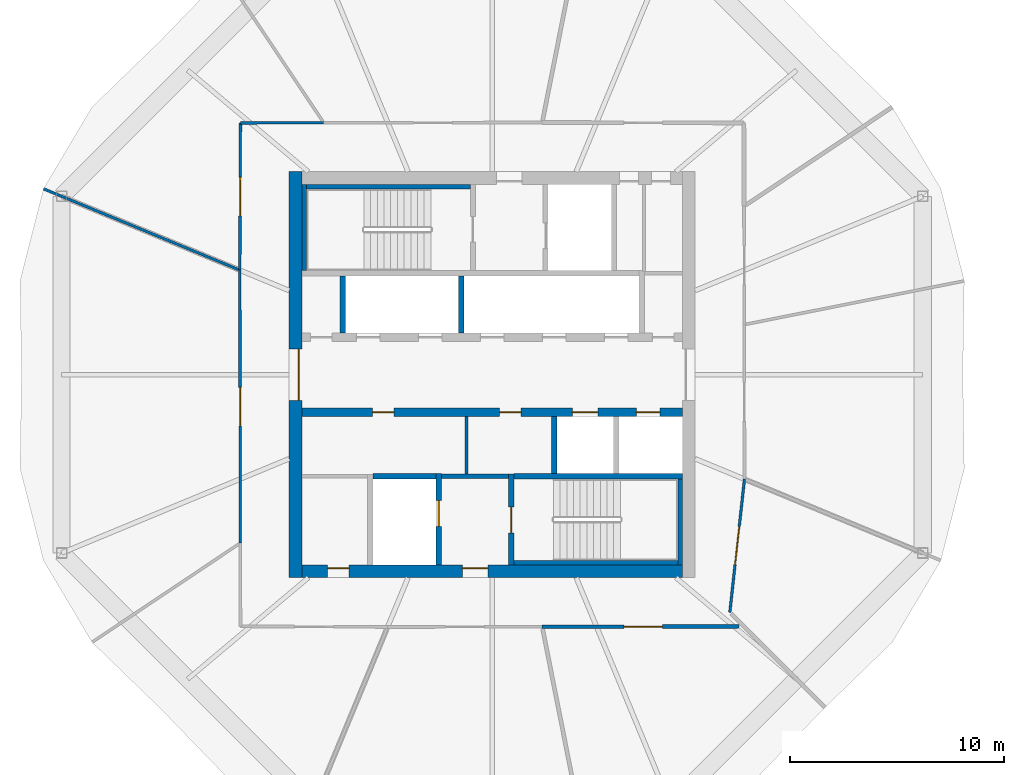
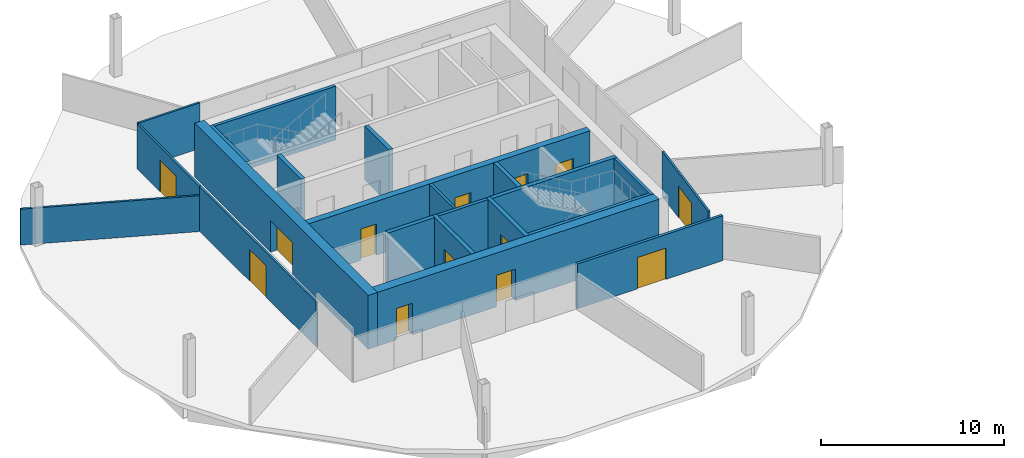
# One storey, part 5 of 10: 22 walls, 13 doors, 13 openings.
"""IFC4 building model written with IfcOpenShell, lengths in metres."""

from ifc_helpers import new_model, si_unit, direction, frame, frame_2d, origin, place, context, subcontext, project, spatial, rectangle, extrude, material, layer, layer_set, type_object, element, fill, save


model = new_model("IFC4")

# Units and contexts
model_context = context("Model", 3, precision=1e-05, world=origin(), true_north=direction((0.0, 1.0)))
body_context = subcontext(model_context, "Body", "Model", "MODEL_VIEW")
ifc_project = project(units=[si_unit("LENGTHUNIT", "METRE"), si_unit("AREAUNIT", "SQUARE_METRE"), si_unit("VOLUMEUNIT", "CUBIC_METRE"), si_unit("PLANEANGLEUNIT", "RADIAN"), si_unit("MASSUNIT", "GRAM", prefix="KILO")], contexts=[model_context])

# Site, building, storey
site_placement = place(None, origin())
site = spatial("IfcSite", under=ifc_project, at=site_placement, CompositionType="ELEMENT")
building_placement = place(site_placement, origin())
building = spatial("IfcBuilding", under=site, at=building_placement, Name="Ogive Gate Towers", CompositionType="ELEMENT")
storey_placement = place(building_placement, frame((0.0, 0.0, 169.5)))
storey = spatial("IfcBuildingStorey", under=building, at=storey_placement, Name="L40", CompositionType="ELEMENT", Elevation=169.5)

# Wall, opening, door
ifc_material_1 = material(Name="Gypsum board acoustic partition")
ifc_layer_1 = layer(ifc_material_1, 0.175048828125)
ifc_layer_set_1 = layer_set([ifc_layer_1], Name="Acoustic partition 175")
wall_type_1 = type_object("IfcWallType", Name="Acoustic partition 175", PredefinedType="PARTITIONING", material=ifc_layer_set_1)
wall_1_placement = place(storey_placement, frame((-33.656982421875, -11.80029296875, 0.0), z_axis=(0.0, 0.0, 1.0), x_axis=(0.999997698004, 0.002145690425, 0.0)))
wall_1 = element("IfcWall", 1, at=wall_1_placement, inside=storey, type_object=wall_type_1, Name="Partition T1-L40-018", PredefinedType="PARTITIONING", context=body_context, shape_type="SweptSolid", body=[
    extrude(rectangle(XDim=9.21630859375, YDim=0.175048828125, at=frame_2d((4.608154296875, 0.0))), origin(), (0.0, 0.0, 1.0), 3.0),
])
opening_1_placement = place(wall_1_placement, frame((3.819091796875, 0.0, 0.0)))
opening_1 = element("IfcOpeningElement", 2, at=opening_1_placement, cuts=wall_1, Name="Opening T1-L40-D06", PredefinedType="OPENING", context=body_context, shape_type="SweptSolid", body=[
    extrude(rectangle(XDim=1.800048828125, YDim=2.10009765625, at=frame_2d((0.89990234375, 1.050048828125))), frame((0.0, 0.09765625, 0.0), z_axis=(0.0, -1.0, 0.0), x_axis=(1.0, 0.0, 0.0)), (0.0, 0.0, 1.0), 0.195068359375),
])
ifc_material_2 = material(Name="Timber door", Category="wood")
door_type_1 = type_object("IfcDoorType", Name="Door pair 1800", OperationType="NOTDEFINED", PredefinedType="DOOR", material=ifc_material_2)
door_1_placement = place(opening_1_placement, origin())
door_1 = element("IfcDoor", 3, at=door_1_placement, inside=storey, type_object=door_type_1, Name="Door T1-L40-D06", OperationType="DOUBLE_DOOR_DOUBLE_SWING", OverallHeight=2.10009765625, OverallWidth=1.800048828125, PredefinedType="DOOR", context=body_context, shape_type="SweptSolid", body=[
    extrude(rectangle(XDim=1.800048828125, YDim=2.10009765625, at=frame_2d((0.89990234375, 1.050048828125))), frame((0.0, 0.02490234375, 0.0), z_axis=(0.0, -1.0, 0.0), x_axis=(1.0, 0.0, 0.0)), (0.0, 0.0, 1.0), 0.050048828125),
])
fill(opening_1, door_1)

# Wall
ifc_material_3 = material(Name="Masonry blockwork", Category="masonry")
ifc_layer_2 = layer(ifc_material_3, 0.199951171875)
ifc_layer_set_2 = layer_set([ifc_layer_2], Name="Blockwork wall 200 mm")
wall_type_2 = type_object("IfcWallType", Name="Blockwork wall 200 mm", PredefinedType="PARTITIONING", material=ifc_layer_set_2)
wall_2_placement = place(storey_placement, frame((-38.375, -4.75, 0.0), z_axis=(0.0, 0.0, 1.0), x_axis=(1.0, 0.0, 0.0)))
element("IfcWall", 4, at=wall_2_placement, inside=storey, type_object=wall_type_2, Name="T1 L40 Blockwork wall 200 mm", PredefinedType="PARTITIONING", context=body_context, shape_type="SweptSolid", body=[
    extrude(rectangle(XDim=3.14990234375, YDim=0.199951171875, at=frame_2d((1.574951171875, 0.0))), origin(), (0.0, 0.0, 1.0), 3.60009765625),
])

# Wall, openings, doors
ifc_material_4 = material(Name="Concrete C60/75", Category="concrete")
ifc_layer_3 = layer(ifc_material_4, 0.60009765625)
ifc_layer_set_3 = layer_set([ifc_layer_3], Name="Core wall 600 mm")
wall_type_3 = type_object("IfcWallType", Name="Core wall 600 mm", PredefinedType="SHEAR", material=ifc_layer_set_3)
wall_3_placement = place(storey_placement, frame((-44.89990234375, -9.199951171875, 0.0), z_axis=(0.0, 0.0, 1.0), x_axis=(1.0, 0.0, 0.0)))
wall_3 = element("IfcWall", 5, at=wall_3_placement, inside=storey, type_object=wall_type_3, Name="T1 L40 Core wall 600 mm", PredefinedType="SHEAR", context=body_context, shape_type="SweptSolid", body=[
    extrude(rectangle(XDim=17.7998046875, YDim=0.60009765625, at=frame_2d((8.89990234375, 0.0))), origin(), (0.0, 0.0, 1.0), 3.60009765625),
])
opening_2_placement = place(wall_3_placement, frame((7.5, 0.0, 0.0)))
opening_2 = element("IfcOpeningElement", 6, at=opening_2_placement, cuts=wall_3, Name="Opening KD-T1-L40-19", PredefinedType="OPENING", context=body_context, shape_type="SweptSolid", body=[
    extrude(rectangle(XDim=1.199951171875, YDim=2.10009765625, at=frame_2d((0.60009765625, 1.050048828125))), frame((0.0, 0.31005859375, 0.0), z_axis=(0.0, -1.0, 0.0), x_axis=(1.0, 0.0, 0.0)), (0.0, 0.0, 1.0), 0.6201171875),
])
opening_3_placement = place(wall_3_placement, frame((1.199951171875, 0.0, 0.0)))
opening_3 = element("IfcOpeningElement", 7, at=opening_3_placement, cuts=wall_3, Name="Opening KD-T1-L40-22", PredefinedType="OPENING", context=body_context, shape_type="SweptSolid", body=[
    extrude(rectangle(XDim=1.0, YDim=2.10009765625, at=frame_2d((0.5, 1.050048828125))), frame((0.0, 0.31005859375, 0.0), z_axis=(0.0, -1.0, 0.0), x_axis=(1.0, 0.0, 0.0)), (0.0, 0.0, 1.0), 0.6201171875),
])
door_type_2 = type_object("IfcDoorType", Name="Accessible WC door 1000 x 2100", OperationType="NOTDEFINED", PredefinedType="DOOR", material=ifc_material_2)
door_2_placement = place(opening_3_placement, origin())
door_2 = element("IfcDoor", 8, at=door_2_placement, inside=storey, type_object=door_type_2, Name="T1 L40 Core door", OperationType="SINGLE_SWING_LEFT", OverallHeight=2.10009765625, OverallWidth=1.0, PredefinedType="DOOR", context=body_context, shape_type="SweptSolid", body=[
    extrude(rectangle(XDim=1.0, YDim=2.10009765625, at=frame_2d((0.5, 1.050048828125))), frame((0.0, 0.1748046875, 0.0), z_axis=(0.0, -1.0, 0.0), x_axis=(1.0, 0.0, 0.0)), (0.0, 0.0, 1.0), 0.050048828125),
])
fill(opening_3, door_2)
ifc_material_5 = material(Name="Steel fire door", Category="steel")
door_type_3 = type_object("IfcDoorType", Name="Core door FD60S 1200 x 2100", OperationType="NOTDEFINED", PredefinedType="DOOR", material=ifc_material_5)
door_3_placement = place(opening_2_placement, origin())
door_3 = element("IfcDoor", 9, at=door_3_placement, inside=storey, type_object=door_type_3, Name="T1 L40 Fire-fighting lobby door", OperationType="SINGLE_SWING_RIGHT", OverallHeight=2.10009765625, OverallWidth=1.199951171875, PredefinedType="DOOR", context=body_context, shape_type="SweptSolid", body=[
    extrude(rectangle(XDim=1.199951171875, YDim=2.10009765625, at=frame_2d((0.60009765625, 1.050048828125))), frame((0.0, 0.1748046875, 0.0), z_axis=(0.0, -1.0, 0.0), x_axis=(1.0, 0.0, 0.0)), (0.0, 0.0, 1.0), 0.050048828125),
])
fill(opening_2, door_3)

# Wall, opening, door
wall_4_placement = place(storey_placement, frame((-45.199951171875, -9.5, 0.0), z_axis=(0.0, 0.0, 1.0), x_axis=(0.0, 1.0, 0.0)))
wall_4 = element("IfcWall", 10, at=wall_4_placement, inside=storey, type_object=wall_type_3, Name="T1 L40 Core wall 600 mm", PredefinedType="SHEAR", context=body_context, shape_type="SweptSolid", body=[
    extrude(rectangle(XDim=19.0, YDim=0.60009765625, at=frame_2d((9.5, 0.0))), origin(), (0.0, 0.0, 1.0), 3.60009765625),
])
opening_4_placement = place(wall_4_placement, frame((8.300048828125, 0.0, 0.0)))
opening_4 = element("IfcOpeningElement", 11, at=opening_4_placement, cuts=wall_4, Name="Opening KD-T1-L40-01", PredefinedType="OPENING", context=body_context, shape_type="SweptSolid", body=[
    extrude(rectangle(XDim=2.39990234375, YDim=2.10009765625, at=frame_2d((1.199951171875, 1.050048828125))), frame((0.0, 0.31005859375, 0.0), z_axis=(0.0, -1.0, 0.0), x_axis=(1.0, 0.0, 0.0)), (0.0, 0.0, 1.0), 0.6201171875),
])
door_type_4 = type_object("IfcDoorType", Name="Core double door FD60S 2400 x 2100", OperationType="DOUBLE_DOOR_SINGLE_SWING", PredefinedType="DOOR", material=ifc_material_5)
door_4_placement = place(opening_4_placement, origin())
door_4 = element("IfcDoor", 12, at=door_4_placement, inside=storey, type_object=door_type_4, Name="T1 L40 Core door double", OperationType="DOUBLE_DOOR_SINGLE_SWING", OverallHeight=2.10009765625, OverallWidth=2.39990234375, PredefinedType="DOOR", context=body_context, shape_type="SweptSolid", body=[
    extrude(rectangle(XDim=2.39990234375, YDim=2.10009765625, at=frame_2d((1.199951171875, 1.050048828125))), frame((0.0, -0.125, 0.0), z_axis=(0.0, -1.0, 0.0), x_axis=(1.0, 0.0, 0.0)), (0.0, 0.0, 1.0), 0.050048828125),
])
fill(opening_4, door_4)

# Wall
ifc_material_6 = material(Name="Gypsum board partition")
ifc_layer_4 = layer(ifc_material_6, 0.125)
ifc_layer_set_4 = layer_set([ifc_layer_4], Name="Partition 125")
wall_type_4 = type_object("IfcWallType", Name="Partition 125", PredefinedType="PARTITIONING", material=ifc_layer_set_4)
wall_5_placement = place(storey_placement, frame((-56.999755859375, 8.698486328125, 0.0), z_axis=(0.0, 0.0, 1.0), x_axis=(0.923875671633, -0.382692753216, 0.0)))
element("IfcWall", 13, at=wall_5_placement, inside=storey, type_object=wall_type_4, Name="Partition T1-L40-005", PredefinedType="PARTITIONING", context=body_context, shape_type="SweptSolid", body=[
    extrude(rectangle(XDim=9.886474609375, YDim=0.125, at=frame_2d((4.943359375, 0.0))), origin(), (0.0, 0.0, 1.0), 2.39990234375),
])

# Wall, opening, door
wall_6_placement = place(storey_placement, frame((-47.780029296875, 11.780029296875, 0.0), z_axis=(0.0, 0.0, 1.0), x_axis=(-0.004075523441, -0.99999169502, 0.0)))
wall_6 = element("IfcWall", 14, at=wall_6_placement, inside=storey, type_object=wall_type_4, Name="Partition T1-L40-012", PredefinedType="PARTITIONING", context=body_context, shape_type="SweptSolid", body=[
    extrude(rectangle(XDim=6.888916015625, YDim=0.125, at=frame_2d((3.4443359375, 0.0))), origin(), (0.0, 0.0, 1.0), 3.0),
])
opening_5_placement = place(wall_6_placement, frame((2.5439453125, 0.0, 0.0)))
opening_5 = element("IfcOpeningElement", 15, at=opening_5_placement, cuts=wall_6, Name="Opening T1-L40-D02", PredefinedType="OPENING", context=body_context, shape_type="SweptSolid", body=[
    extrude(rectangle(XDim=1.800048828125, YDim=2.10009765625, at=frame_2d((0.89990234375, 1.050048828125))), frame((0.0, 0.072509765625, 0.0), z_axis=(0.0, -1.0, 0.0), x_axis=(1.0, 0.0, 0.0)), (0.0, 0.0, 1.0), 0.14501953125),
])
door_5_placement = place(opening_5_placement, origin())
door_5 = element("IfcDoor", 16, at=door_5_placement, inside=storey, type_object=door_type_1, Name="Door T1-L40-D02", OperationType="DOUBLE_DOOR_DOUBLE_SWING", OverallHeight=2.10009765625, OverallWidth=1.800048828125, PredefinedType="DOOR", context=body_context, shape_type="SweptSolid", body=[
    extrude(rectangle(XDim=1.800048828125, YDim=2.10009765625, at=frame_2d((0.89990234375, 1.050048828125))), frame((0.0, 0.02490234375, 0.0), z_axis=(0.0, -1.0, 0.0), x_axis=(1.0, 0.0, 0.0)), (0.0, 0.0, 1.0), 0.050048828125),
])
fill(opening_5, door_5)

# Wall
wall_7_placement = place(storey_placement, frame((-43.882568359375, 11.787841796875, 0.0), z_axis=(0.0, 0.0, 1.0), x_axis=(-0.999997990976, -0.002004506121, 0.0)))
element("IfcWall", 17, at=wall_7_placement, inside=storey, type_object=wall_type_4, Name="Partition T1-L40-013", PredefinedType="PARTITIONING", context=body_context, shape_type="SweptSolid", body=[
    extrude(rectangle(XDim=3.8974609375, YDim=0.125, at=frame_2d((1.94873046875, 0.0))), origin(), (0.0, 0.0, 1.0), 3.050048828125),
])

# Wall, opening, door
wall_8_placement = place(storey_placement, frame((-47.80810546875, 4.89111328125, 0.0), z_axis=(0.0, 0.0, 1.0), x_axis=(0.001586359121, -0.999998741732, 0.0)))
wall_8 = element("IfcWall", 18, at=wall_8_placement, inside=storey, type_object=wall_type_4, Name="Partition T1-L40-014", PredefinedType="PARTITIONING", context=body_context, shape_type="SweptSolid", body=[
    extrude(rectangle(XDim=12.773681640625, YDim=0.125, at=frame_2d((6.38671875, 0.0))), origin(), (0.0, 0.0, 1.0), 3.0),
])
opening_6_placement = place(wall_8_placement, frame((5.487060546875, 0.0, 0.0)))
opening_6 = element("IfcOpeningElement", 19, at=opening_6_placement, cuts=wall_8, Name="Opening T1-L40-D03", PredefinedType="OPENING", context=body_context, shape_type="SweptSolid", body=[
    extrude(rectangle(XDim=1.800048828125, YDim=2.10009765625, at=frame_2d((0.89990234375, 1.050048828125))), frame((0.0, 0.072509765625, 0.0), z_axis=(0.0, -1.0, 0.0), x_axis=(1.0, 0.0, 0.0)), (0.0, 0.0, 1.0), 0.14501953125),
])
door_6_placement = place(opening_6_placement, origin())
door_6 = element("IfcDoor", 20, at=door_6_placement, inside=storey, type_object=door_type_1, Name="Door T1-L40-D03", OperationType="DOUBLE_DOOR_DOUBLE_SWING", OverallHeight=2.10009765625, OverallWidth=1.800048828125, PredefinedType="DOOR", context=body_context, shape_type="SweptSolid", body=[
    extrude(rectangle(XDim=1.800048828125, YDim=2.10009765625, at=frame_2d((0.89990234375, 1.050048828125))), frame((0.0, 0.02490234375, 0.0), z_axis=(0.0, -1.0, 0.0), x_axis=(1.0, 0.0, 0.0)), (0.0, 0.0, 1.0), 0.050048828125),
])
fill(opening_6, door_6)

wall_9_placement = place(storey_placement, frame((-24.877197265625, -11.122802734375, 0.0), z_axis=(0.0, 0.0, 1.0), x_axis=(0.109311621404, 0.994007529864, 0.0)))
wall_9 = element("IfcWall", 21, at=wall_9_placement, inside=storey, type_object=wall_type_4, Name="Partition T1-L40-019", PredefinedType="PARTITIONING", context=body_context, shape_type="SweptSolid", body=[
    extrude(rectangle(XDim=6.269287109375, YDim=0.125, at=frame_2d((3.134765625, 0.0))), origin(), (0.0, 0.0, 1.0), 3.0),
])
opening_7_placement = place(wall_9_placement, frame((2.235107421875, 0.0, 0.0)))
opening_7 = element("IfcOpeningElement", 22, at=opening_7_placement, cuts=wall_9, Name="Opening T1-L40-D07", PredefinedType="OPENING", context=body_context, shape_type="SweptSolid", body=[
    extrude(rectangle(XDim=1.800048828125, YDim=2.10009765625, at=frame_2d((0.89990234375, 1.050048828125))), frame((0.0, 0.072509765625, 0.0), z_axis=(0.0, -1.0, 0.0), x_axis=(1.0, 0.0, 0.0)), (0.0, 0.0, 1.0), 0.14501953125),
])
door_7_placement = place(opening_7_placement, origin())
door_7 = element("IfcDoor", 23, at=door_7_placement, inside=storey, type_object=door_type_1, Name="Door T1-L40-D07", OperationType="DOUBLE_DOOR_DOUBLE_SWING", OverallHeight=2.10009765625, OverallWidth=1.800048828125, PredefinedType="DOOR", context=body_context, shape_type="SweptSolid", body=[
    extrude(rectangle(XDim=1.800048828125, YDim=2.10009765625, at=frame_2d((0.89990234375, 1.050048828125))), frame((0.0, 0.02490234375, 0.0), z_axis=(0.0, -1.0, 0.0), x_axis=(1.0, 0.0, 0.0)), (0.0, 0.0, 1.0), 0.050048828125),
])
fill(opening_7, door_7)

# Walls
ifc_layer_5 = layer(ifc_material_6, 0.14990234375)
ifc_layer_set_5 = layer_set([ifc_layer_5], Name="Room partition 150 mm")
wall_type_5 = type_object("IfcWallType", Name="Room partition 150 mm", PredefinedType="PARTITIONING", material=ifc_layer_set_5)
wall_10_placement = place(storey_placement, frame((-37.199951171875, -4.64990234375, 0.0), z_axis=(0.0, 0.0, 1.0), x_axis=(0.0, 1.0, 0.0)))
element("IfcWall", 24, at=wall_10_placement, inside=storey, type_object=wall_type_5, Name="T1 L40 Room partition 150 mm", PredefinedType="PARTITIONING", context=body_context, shape_type="SweptSolid", body=[
    extrude(rectangle(XDim=2.699951171875, YDim=0.14990234375, at=frame_2d((1.35009765625, 0.0))), origin(), (0.0, 0.0, 1.0), 3.60009765625),
])
ifc_layer_6 = layer(ifc_material_4, 0.25)
ifc_layer_set_6 = layer_set([ifc_layer_6], Name="Shaft wall 250 mm")
wall_type_6 = type_object("IfcWallType", Name="Shaft wall 250 mm", PredefinedType="SHEAR", material=ifc_layer_set_6)
wall_11_placement = place(storey_placement, frame((-41.574951171875, -4.75, 0.0), z_axis=(0.0, 0.0, 1.0), x_axis=(1.0, 0.0, 0.0)))
element("IfcWall", 25, at=wall_11_placement, inside=storey, type_object=wall_type_6, Name="T1 L40 Shaft wall 250 mm", PredefinedType="SHEAR", context=body_context, shape_type="SweptSolid", body=[
    extrude(rectangle(XDim=2.949951171875, YDim=0.25, at=frame_2d((1.47509765625, 0.0))), origin(), (0.0, 0.0, 1.0), 3.60009765625),
])
wall_12_placement = place(storey_placement, frame((-34.97509765625, -4.75, 0.0), z_axis=(0.0, 0.0, 1.0), x_axis=(1.0, 0.0, 0.0)))
element("IfcWall", 26, at=wall_12_placement, inside=storey, type_object=wall_type_6, Name="T1 L40 Shaft wall 250 mm", PredefinedType="SHEAR", context=body_context, shape_type="SweptSolid", body=[
    extrude(rectangle(XDim=7.875, YDim=0.25, at=frame_2d((3.9375, 0.0))), origin(), (0.0, 0.0, 1.0), 3.60009765625),
])
wall_13_placement = place(storey_placement, frame((-43.0, 1.949951171875, 0.0), z_axis=(0.0, 0.0, 1.0), x_axis=(0.0, 1.0, 0.0)))
element("IfcWall", 27, at=wall_13_placement, inside=storey, type_object=wall_type_6, Name="T1 L40 Shaft wall 250 mm", PredefinedType="SHEAR", context=body_context, shape_type="SweptSolid", body=[
    extrude(rectangle(XDim=2.675048828125, YDim=0.25, at=frame_2d((1.33740234375, 0.0))), origin(), (0.0, 0.0, 1.0), 3.60009765625),
])

# Wall, opening, door
wall_14_placement = place(storey_placement, frame((-38.5, -8.89990234375, 0.0), z_axis=(0.0, 0.0, 1.0), x_axis=(0.0, 1.0, 0.0)))
wall_14 = element("IfcWall", 28, at=wall_14_placement, inside=storey, type_object=wall_type_6, Name="T1 L40 Shaft wall 250 mm", PredefinedType="SHEAR", context=body_context, shape_type="SweptSolid", body=[
    extrude(rectangle(XDim=4.27490234375, YDim=0.25, at=frame_2d((2.137451171875, 0.0))), origin(), (0.0, 0.0, 1.0), 3.60009765625),
])
opening_8_placement = place(wall_14_placement, frame((1.800048828125, 0.0, 0.0)))
opening_8 = element("IfcOpeningElement", 29, at=opening_8_placement, cuts=wall_14, Name="Opening LD-T1-L40-13", PredefinedType="OPENING", context=body_context, shape_type="SweptSolid", body=[
    extrude(rectangle(XDim=1.199951171875, YDim=2.10009765625, at=frame_2d((0.60009765625, 1.050048828125))), frame((0.0, 0.135009765625, 0.0), z_axis=(0.0, -1.0, 0.0), x_axis=(1.0, 0.0, 0.0)), (0.0, 0.0, 1.0), 0.27001953125),
])
ifc_material_7 = material(Name="Stainless steel landing door", Category="steel")
door_type_5 = type_object("IfcDoorType", Name="Landing door 1200 x 2100", OperationType="SLIDING_TO_LEFT", PredefinedType="DOOR", material=ifc_material_7)
door_8_placement = place(opening_8_placement, origin())
door_8 = element("IfcDoor", 30, at=door_8_placement, inside=storey, type_object=door_type_5, Name="T1 L40 Lift landing door FF2", OperationType="SLIDING_TO_LEFT", OverallHeight=2.10009765625, OverallWidth=1.199951171875, PredefinedType="DOOR", context=body_context, shape_type="SweptSolid", body=[
    extrude(rectangle(XDim=1.199951171875, YDim=2.10009765625, at=frame_2d((0.60009765625, 1.050048828125))), frame((0.0, 0.02490234375, 0.0), z_axis=(0.0, -1.0, 0.0), x_axis=(1.0, 0.0, 0.0)), (0.0, 0.0, 1.0), 0.050048828125),
])
fill(opening_8, door_8)

# Wall
wall_15_placement = place(storey_placement, frame((-37.449951171875, 1.949951171875, 0.0), z_axis=(0.0, 0.0, 1.0), x_axis=(0.0, 1.0, 0.0)))
element("IfcWall", 31, at=wall_15_placement, inside=storey, type_object=wall_type_6, Name="T1 L40 Shaft wall 250 mm", PredefinedType="SHEAR", context=body_context, shape_type="SweptSolid", body=[
    extrude(rectangle(XDim=2.675048828125, YDim=0.25, at=frame_2d((1.33740234375, 0.0))), origin(), (0.0, 0.0, 1.0), 3.60009765625),
])

# Wall, opening, door
wall_16_placement = place(storey_placement, frame((-35.10009765625, -8.89990234375, 0.0), z_axis=(0.0, 0.0, 1.0), x_axis=(0.0, 1.0, 0.0)))
wall_16 = element("IfcWall", 32, at=wall_16_placement, inside=storey, type_object=wall_type_6, Name="T1 L40 Shaft wall 250 mm", PredefinedType="SHEAR", context=body_context, shape_type="SweptSolid", body=[
    extrude(rectangle(XDim=4.25, YDim=0.25, at=frame_2d((2.125, 0.0))), origin(), (0.0, 0.0, 1.0), 3.60009765625),
])
opening_9_placement = place(wall_16_placement, frame((1.5, 0.0, 0.0)))
opening_9 = element("IfcOpeningElement", 33, at=opening_9_placement, cuts=wall_16, Name="Opening KD-T1-L40-17", PredefinedType="OPENING", context=body_context, shape_type="SweptSolid", body=[
    extrude(rectangle(XDim=1.199951171875, YDim=2.10009765625, at=frame_2d((0.60009765625, 1.050048828125))), frame((0.0, 0.135009765625, 0.0), z_axis=(0.0, -1.0, 0.0), x_axis=(1.0, 0.0, 0.0)), (0.0, 0.0, 1.0), 0.27001953125),
])
door_9_placement = place(opening_9_placement, origin())
door_9 = element("IfcDoor", 34, at=door_9_placement, inside=storey, type_object=door_type_3, Name="T1 L40 Stair door", OperationType="SINGLE_SWING_RIGHT", OverallHeight=2.10009765625, OverallWidth=1.199951171875, PredefinedType="DOOR", context=body_context, shape_type="SweptSolid", body=[
    extrude(rectangle(XDim=1.199951171875, YDim=2.10009765625, at=frame_2d((0.60009765625, 1.050048828125))), frame((0.0, 0.02490234375, 0.0), z_axis=(0.0, -1.0, 0.0), x_axis=(1.0, 0.0, 0.0)), (0.0, 0.0, 1.0), 0.050048828125),
])
fill(opening_9, door_9)

# Wall
wall_17_placement = place(storey_placement, frame((-33.10009765625, -4.625, 0.0), z_axis=(0.0, 0.0, 1.0), x_axis=(0.0, 1.0, 0.0)))
element("IfcWall", 35, at=wall_17_placement, inside=storey, type_object=wall_type_6, Name="T1 L40 Shaft wall 250 mm", PredefinedType="SHEAR", context=body_context, shape_type="SweptSolid", body=[
    extrude(rectangle(XDim=2.675048828125, YDim=0.25, at=frame_2d((1.33740234375, 0.0))), origin(), (0.0, 0.0, 1.0), 3.60009765625),
])

# Wall, openings, doors
ifc_layer_7 = layer(ifc_material_4, 0.39990234375)
ifc_layer_set_7 = layer_set([ifc_layer_7], Name="Spine wall 400 mm")
wall_type_7 = type_object("IfcWallType", Name="Spine wall 400 mm", PredefinedType="SHEAR", material=ifc_layer_set_7)
wall_18_placement = place(storey_placement, frame((-44.89990234375, -1.75, 0.0), z_axis=(0.0, 0.0, 1.0), x_axis=(1.0, 0.0, 0.0)))
wall_18 = element("IfcWall", 36, at=wall_18_placement, inside=storey, type_object=wall_type_7, Name="T1 L40 Spine wall 400 mm", PredefinedType="SHEAR", context=body_context, shape_type="SweptSolid", body=[
    extrude(rectangle(XDim=17.7998046875, YDim=0.39990234375, at=frame_2d((8.89990234375, 0.0))), origin(), (0.0, 0.0, 1.0), 3.60009765625),
])
opening_10_placement = place(wall_18_placement, frame((12.64990234375, 0.0, 0.0)))
opening_10 = element("IfcOpeningElement", 37, at=opening_10_placement, cuts=wall_18, Name="Opening LD-T1-L40-10", PredefinedType="OPENING", context=body_context, shape_type="SweptSolid", body=[
    extrude(rectangle(XDim=1.199951171875, YDim=2.10009765625, at=frame_2d((0.60009765625, 1.050048828125))), frame((0.0, 0.2099609375, 0.0), z_axis=(0.0, -1.0, 0.0), x_axis=(1.0, 0.0, 0.0)), (0.0, 0.0, 1.0), 0.419921875),
])
opening_11_placement = place(wall_18_placement, frame((15.64990234375, 0.0, 0.0)))
opening_11 = element("IfcOpeningElement", 38, at=opening_11_placement, cuts=wall_18, Name="Opening LD-T1-L40-11", PredefinedType="OPENING", context=body_context, shape_type="SweptSolid", body=[
    extrude(rectangle(XDim=1.10009765625, YDim=2.10009765625, at=frame_2d((0.550048828125, 1.050048828125))), frame((0.0, 0.2099609375, 0.0), z_axis=(0.0, -1.0, 0.0), x_axis=(1.0, 0.0, 0.0)), (0.0, 0.0, 1.0), 0.419921875),
])
opening_12_placement = place(wall_18_placement, frame((3.300048828125, 0.0, 0.0)))
opening_12 = element("IfcOpeningElement", 39, at=opening_12_placement, cuts=wall_18, Name="Opening KD-T1-L40-14", PredefinedType="OPENING", context=body_context, shape_type="SweptSolid", body=[
    extrude(rectangle(XDim=1.0, YDim=2.10009765625, at=frame_2d((0.5, 1.050048828125))), frame((0.0, 0.2099609375, 0.0), z_axis=(0.0, -1.0, 0.0), x_axis=(1.0, 0.0, 0.0)), (0.0, 0.0, 1.0), 0.419921875),
])
opening_13_placement = place(wall_18_placement, frame((9.25, 0.0, 0.0)))
opening_13 = element("IfcOpeningElement", 40, at=opening_13_placement, cuts=wall_18, Name="Opening KD-T1-L40-15", PredefinedType="OPENING", context=body_context, shape_type="SweptSolid", body=[
    extrude(rectangle(XDim=1.0, YDim=2.10009765625, at=frame_2d((0.5, 1.050048828125))), frame((0.0, 0.2099609375, 0.0), z_axis=(0.0, -1.0, 0.0), x_axis=(1.0, 0.0, 0.0)), (0.0, 0.0, 1.0), 0.419921875),
])
door_type_6 = type_object("IfcDoorType", Name="Core door FD60S 1000 x 2100", OperationType="NOTDEFINED", PredefinedType="DOOR", material=ifc_material_5)
door_10_placement = place(opening_12_placement, origin())
door_10 = element("IfcDoor", 41, at=door_10_placement, inside=storey, type_object=door_type_6, Name="T1 L40 Core door", OperationType="SINGLE_SWING_LEFT", OverallHeight=2.10009765625, OverallWidth=1.0, PredefinedType="DOOR", context=body_context, shape_type="SweptSolid", body=[
    extrude(rectangle(XDim=1.0, YDim=2.10009765625, at=frame_2d((0.5, 1.050048828125))), frame((0.0, 0.02490234375, 0.0), z_axis=(0.0, -1.0, 0.0), x_axis=(1.0, 0.0, 0.0)), (0.0, 0.0, 1.0), 0.050048828125),
])
fill(opening_12, door_10)
door_11_placement = place(opening_13_placement, origin())
door_11 = element("IfcDoor", 42, at=door_11_placement, inside=storey, type_object=door_type_6, Name="T1 L40 Core door", OperationType="SINGLE_SWING_RIGHT", OverallHeight=2.10009765625, OverallWidth=1.0, PredefinedType="DOOR", context=body_context, shape_type="SweptSolid", body=[
    extrude(rectangle(XDim=1.0, YDim=2.10009765625, at=frame_2d((0.5, 1.050048828125))), frame((0.0, 0.02490234375, 0.0), z_axis=(0.0, -1.0, 0.0), x_axis=(1.0, 0.0, 0.0)), (0.0, 0.0, 1.0), 0.050048828125),
])
fill(opening_13, door_11)
door_type_7 = type_object("IfcDoorType", Name="Landing door 1100 x 2100", OperationType="SLIDING_TO_LEFT", PredefinedType="DOOR", material=ifc_material_7)
door_12_placement = place(opening_11_placement, origin())
door_12 = element("IfcDoor", 43, at=door_12_placement, inside=storey, type_object=door_type_7, Name="T1 L40 Lift landing door B6", OperationType="SLIDING_TO_LEFT", OverallHeight=2.10009765625, OverallWidth=1.10009765625, PredefinedType="DOOR", context=body_context, shape_type="SweptSolid", body=[
    extrude(rectangle(XDim=1.10009765625, YDim=2.10009765625, at=frame_2d((0.550048828125, 1.050048828125))), frame((0.0, 0.02490234375, 0.0), z_axis=(0.0, -1.0, 0.0), x_axis=(1.0, 0.0, 0.0)), (0.0, 0.0, 1.0), 0.050048828125),
])
fill(opening_11, door_12)
door_13_placement = place(opening_10_placement, origin())
door_13 = element("IfcDoor", 44, at=door_13_placement, inside=storey, type_object=door_type_5, Name="T1 L40 Lift landing door SVC", OperationType="SLIDING_TO_LEFT", OverallHeight=2.10009765625, OverallWidth=1.199951171875, PredefinedType="DOOR", context=body_context, shape_type="SweptSolid", body=[
    extrude(rectangle(XDim=1.199951171875, YDim=2.10009765625, at=frame_2d((0.60009765625, 1.050048828125))), frame((0.0, 0.02490234375, 0.0), z_axis=(0.0, -1.0, 0.0), x_axis=(1.0, 0.0, 0.0)), (0.0, 0.0, 1.0), 0.050048828125),
])
fill(opening_10, door_13)

# Walls
ifc_layer_8 = layer(ifc_material_4, 0.199951171875)
ifc_layer_set_8 = layer_set([ifc_layer_8], Name="Stair wall 200 mm")
wall_type_8 = type_object("IfcWallType", Name="Stair wall 200 mm", PredefinedType="SHEAR", material=ifc_layer_set_8)
for number, where, z_axis, x_axis, name in (
    (45, (-34.97509765625, -8.800048828125, 0.0), (0.0, 0.0, 1.0), (1.0, 0.0, 0.0), "T1 L40 Stair wall 200 mm"),
    (46, (-44.699951171875, 8.800048828125, 0.0), (0.0, 0.0, 1.0), (1.0, 0.0, 0.0), "T1 L40 Stair wall 200 mm"),
):
    element("IfcWall", number, at=place(storey_placement, frame(where, z_axis=z_axis, x_axis=x_axis)), inside=storey, type_object=wall_type_8, Name=name, PredefinedType="SHEAR", context=body_context, shape_type="SweptSolid", body=[
        extrude(rectangle(XDim=7.675048828125, YDim=0.199951171875, at=frame_2d((3.83740234375, 0.0))), origin(), (0.0, 0.0, 1.0), 3.60009765625),
    ])
for number, where, z_axis, x_axis, name in (
    (47, (-44.800048828125, 4.875, 0.0), (0.0, 0.0, 1.0), (0.0, 1.0, 0.0), "T1 L40 Stair wall 200 mm"),
    (48, (-27.199951171875, -8.89990234375, 0.0), (0.0, 0.0, 1.0), (0.0, 1.0, 0.0), "T1 L40 Stair wall 200 mm"),
):
    element("IfcWall", number, at=place(storey_placement, frame(where, z_axis=z_axis, x_axis=x_axis)), inside=storey, type_object=wall_type_8, Name=name, PredefinedType="SHEAR", context=body_context, shape_type="SweptSolid", body=[
        extrude(rectangle(XDim=4.02490234375, YDim=0.199951171875, at=frame_2d((2.012451171875, 0.0))), origin(), (0.0, 0.0, 1.0), 3.60009765625),
    ])

save(model, "model.ifc")
